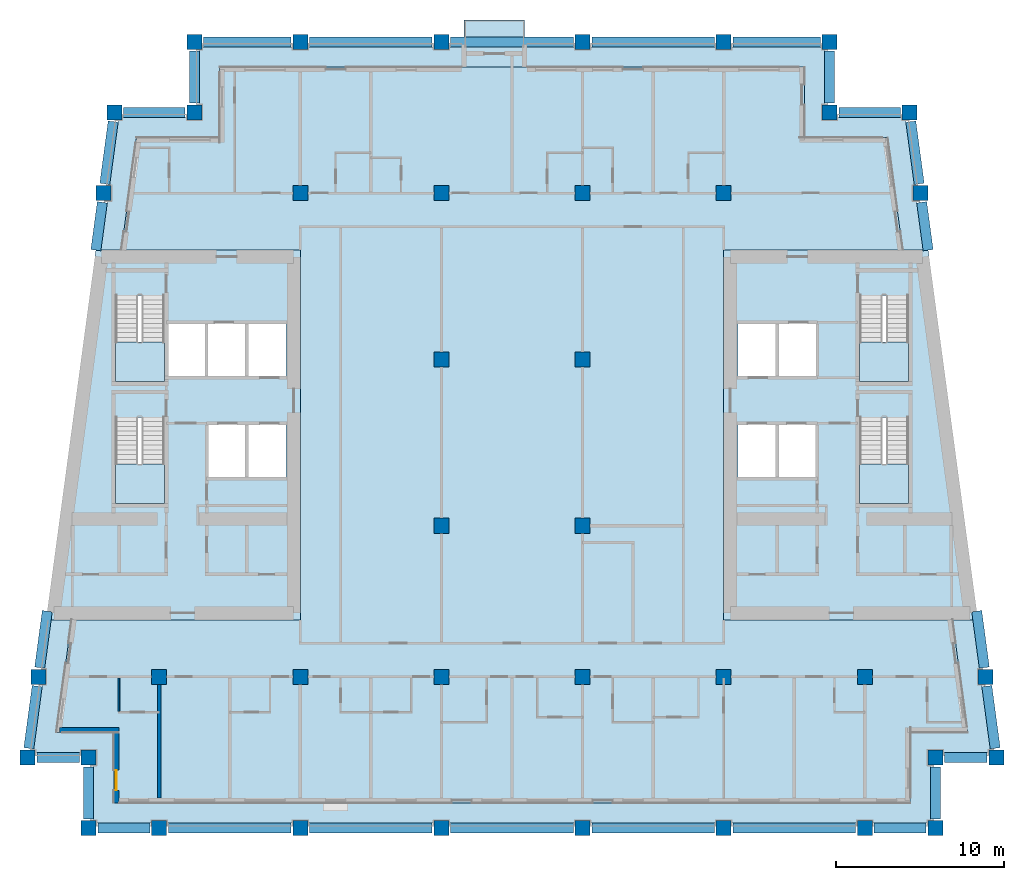
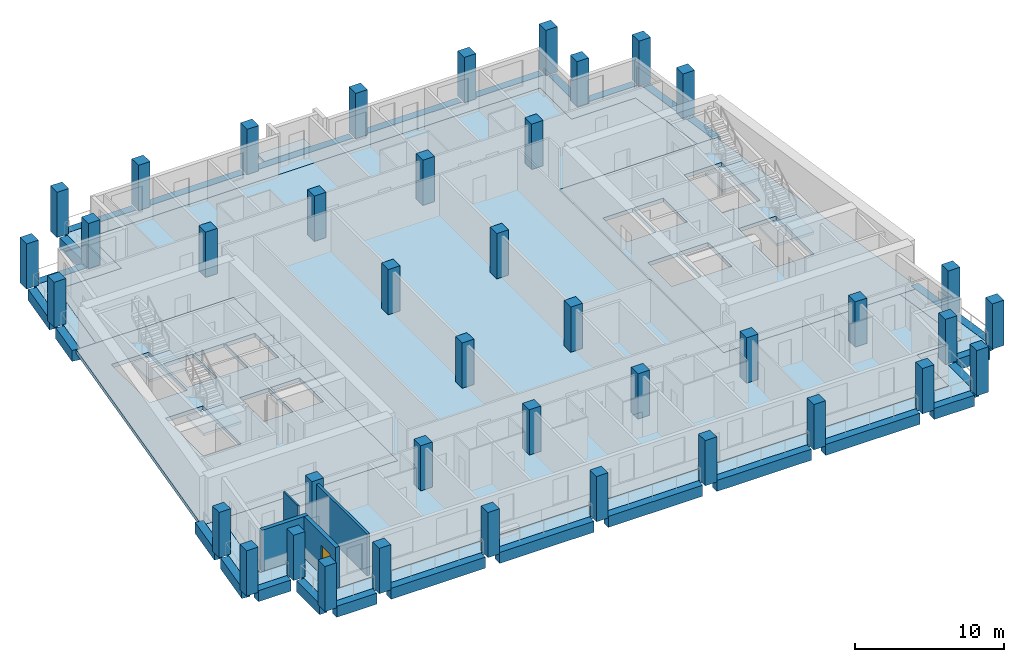
# One storey, part 1 of 13: 40 columns, 28 beams, 10 slabs, 4 walls, 1 door, 1 opening, 4 elements without a shape of their own.
"""IFC4 building model written with IfcOpenShell, lengths in metres."""

from ifc_helpers import new_model, si_unit, direction, frame, frame_2d, origin, origin_2d, place, context, subcontext, project, spatial, polyline, rectangle, outline, extrude, material, layer, layer_set, material_profile, profile_set, type_object, element, fill, aggregate, save


model = new_model("IFC4")

# Units and contexts
model_context = context("Model", 3, precision=1e-05, world=origin(), true_north=direction((0.0, 1.0)))
body_context = subcontext(model_context, "Body", "Model", "MODEL_VIEW")
ifc_project = project(units=[si_unit("LENGTHUNIT", "METRE"), si_unit("AREAUNIT", "SQUARE_METRE"), si_unit("VOLUMEUNIT", "CUBIC_METRE"), si_unit("PLANEANGLEUNIT", "RADIAN"), si_unit("MASSUNIT", "GRAM", prefix="KILO")], contexts=[model_context])

# Site, building, storey
site_placement = place(None, origin())
site = spatial("IfcSite", under=ifc_project, at=site_placement, CompositionType="ELEMENT")
building_placement = place(site_placement, origin())
building = spatial("IfcBuilding", under=site, at=building_placement, Name="Candeia Pilgrim Tower and Theatre", CompositionType="ELEMENT")
storey_placement = place(building_placement, frame((0.0, 0.0, 202.199951171875)))
storey = spatial("IfcBuildingStorey", under=building, at=storey_placement, Name="L48", CompositionType="ELEMENT", Elevation=202.199951171875)

# Columns
ifc_material_1 = material(Name="Concrete C50/60", Category="concrete")
ifc_material_profile_1 = material_profile(ifc_material_1, rectangle(XDim=0.89990234375, YDim=0.89990234375, at=origin_2d()))
ifc_profile_set_1 = profile_set([ifc_material_profile_1], Name="Concrete C50/60")
column_type = type_object("IfcColumnType", Name="RC 900x900 C50/60", PredefinedType="COLUMN", material=ifc_profile_set_1)
for number, where, z_axis, x_axis, name in (
    (1, (92.39990234375, 98.0, 0.0), (0.0, 0.0, 1.0), (1.0, 0.0, 0.0), "Column A1"),
    (2, (100.800048828125, 98.0, 0.0), (0.0, 0.0, 1.0), (1.0, 0.0, 0.0), "Column A2"),
    (3, (109.199951171875, 98.0, 0.0), (0.0, 0.0, 1.0), (1.0, 0.0, 0.0), "Column A3"),
    (4, (117.60009765625, 98.0, 0.0), (0.0, 0.0, 1.0), (1.0, 0.0, 0.0), "Column A4"),
    (5, (126.0, 98.0, 0.0), (0.0, 0.0, 1.0), (1.0, 0.0, 0.0), "Column A5"),
    (6, (134.39990234375, 98.0, 0.0), (0.0, 0.0, 1.0), (1.0, 0.0, 0.0), "Column A6"),
    (7, (88.199951171875, 98.0, 0.0), (0.0, 0.0, 1.0), (1.0, 0.0, 0.0), "Column AW"),
    (8, (138.60009765625, 98.0, 0.0), (0.0, 0.0, 1.0), (1.0, 0.0, 0.0), "Column AE"),
    (9, (88.199951171875, 102.199951171875, 0.0), (0.0, 0.0, 1.0), (1.0, 0.0, 0.0), "Column NSW"),
    (10, (138.60009765625, 102.199951171875, 0.0), (0.0, 0.0, 1.0), (1.0, 0.0, 0.0), "Column NSE"),
    (11, (94.5, 140.60009765625, 0.0), (0.0, 0.0, 1.0), (1.0, 0.0, 0.0), "Column NNW"),
    (12, (132.300048828125, 140.60009765625, 0.0), (0.0, 0.0, 1.0), (1.0, 0.0, 0.0), "Column NNE"),
    (13, (84.5654296875, 102.199951171875, 0.0), (0.0, 0.0, 1.0), (1.0, 0.0, 0.0), "Column LSW"),
    (14, (142.234619140625, 102.199951171875, 0.0), (0.0, 0.0, 1.0), (1.0, 0.0, 0.0), "Column LSE"),
    (15, (89.734619140625, 140.60009765625, 0.0), (0.0, 0.0, 1.0), (1.0, 0.0, 0.0), "Column LNW"),
    (16, (137.0654296875, 140.60009765625, 0.0), (0.0, 0.0, 1.0), (1.0, 0.0, 0.0), "Column LNE"),
    (17, (92.39990234375, 107.0, 0.0), (0.0, 0.0, 1.0), (1.0, 0.0, 0.0), "Column B1"),
    (18, (100.800048828125, 107.0, 0.0), (0.0, 0.0, 1.0), (1.0, 0.0, 0.0), "Column B2"),
    (19, (109.199951171875, 107.0, 0.0), (0.0, 0.0, 1.0), (1.0, 0.0, 0.0), "Column B3"),
    (20, (117.60009765625, 107.0, 0.0), (0.0, 0.0, 1.0), (1.0, 0.0, 0.0), "Column B4"),
    (21, (126.0, 107.0, 0.0), (0.0, 0.0, 1.0), (1.0, 0.0, 0.0), "Column B5"),
    (22, (134.39990234375, 107.0, 0.0), (0.0, 0.0, 1.0), (1.0, 0.0, 0.0), "Column B6"),
    (23, (85.21142578125, 107.0, 0.0), (0.0, 0.0, 1.0), (1.0, 0.0, 0.0), "Column BW"),
    (24, (141.58837890625, 107.0, 0.0), (0.0, 0.0, 1.0), (1.0, 0.0, 0.0), "Column BE"),
    (25, (109.199951171875, 116.0, 0.0), (0.0, 0.0, 1.0), (1.0, 0.0, 0.0), "Column C3"),
    (26, (117.60009765625, 116.0, 0.0), (0.0, 0.0, 1.0), (1.0, 0.0, 0.0), "Column C4"),
    (27, (109.199951171875, 125.89990234375, 0.0), (0.0, 0.0, 1.0), (1.0, 0.0, 0.0), "Column D3"),
    (28, (117.60009765625, 125.89990234375, 0.0), (0.0, 0.0, 1.0), (1.0, 0.0, 0.0), "Column D4"),
    (29, (100.800048828125, 135.800048828125, 0.0), (0.0, 0.0, 1.0), (1.0, 0.0, 0.0), "Column E2"),
    (30, (109.199951171875, 135.800048828125, 0.0), (0.0, 0.0, 1.0), (1.0, 0.0, 0.0), "Column E3"),
    (31, (117.60009765625, 135.800048828125, 0.0), (0.0, 0.0, 1.0), (1.0, 0.0, 0.0), "Column E4"),
    (32, (126.0, 135.800048828125, 0.0), (0.0, 0.0, 1.0), (1.0, 0.0, 0.0), "Column E5"),
    (33, (89.08837890625, 135.800048828125, 0.0), (0.0, 0.0, 1.0), (1.0, 0.0, 0.0), "Column EW"),
    (34, (137.71142578125, 135.800048828125, 0.0), (0.0, 0.0, 1.0), (1.0, 0.0, 0.0), "Column EE"),
    (35, (100.800048828125, 144.800048828125, 0.0), (0.0, 0.0, 1.0), (1.0, 0.0, 0.0), "Column F2"),
    (36, (109.199951171875, 144.800048828125, 0.0), (0.0, 0.0, 1.0), (1.0, 0.0, 0.0), "Column F3"),
    (37, (117.60009765625, 144.800048828125, 0.0), (0.0, 0.0, 1.0), (1.0, 0.0, 0.0), "Column F4"),
    (38, (126.0, 144.800048828125, 0.0), (0.0, 0.0, 1.0), (1.0, 0.0, 0.0), "Column F5"),
    (39, (94.5, 144.800048828125, 0.0), (0.0, 0.0, 1.0), (1.0, 0.0, 0.0), "Column FW"),
    (40, (132.300048828125, 144.800048828125, 0.0), (0.0, 0.0, 1.0), (1.0, 0.0, 0.0), "Column FE"),
):
    element("IfcColumn", number, at=place(storey_placement, frame(where, z_axis=z_axis, x_axis=x_axis)), inside=storey, type_object=column_type, Name=name, PredefinedType="COLUMN", context=body_context, shape_type="SweptSolid", body=[
        extrude(rectangle(XDim=0.89990234375, YDim=0.89990234375, at=origin_2d()), origin(), (0.0, 0.0, 1.0), 3.699951171875),
    ])

# Beams
ifc_material_profile_2 = material_profile(ifc_material_1, rectangle(XDim=0.60009765625, YDim=0.89990234375, at=origin_2d()))
ifc_profile_set_2 = profile_set([ifc_material_profile_2], Name="Concrete C50/60")
beam_type = type_object("IfcBeamType", Name="RC 600x900 C50/60", PredefinedType="BEAM", material=ifc_profile_set_2)
beam_1_placement = place(storey_placement, frame((88.75, 98.0, -0.449951171875), z_axis=(1.0, 0.0, 0.0), x_axis=(0.0, 1.0, 0.0)))
element("IfcBeam", 41, at=beam_1_placement, inside=storey, type_object=beam_type, Name="Spandrel beam L48-01", PredefinedType="BEAM", context=body_context, shape_type="SweptSolid", body=[
    extrude(rectangle(XDim=0.60009765625, YDim=0.89990234375, at=origin_2d()), origin(), (0.0, 0.0, 1.0), 3.10009765625),
])
beam_2_placement = place(storey_placement, frame((92.949951171875, 98.0, -0.449951171875), z_axis=(1.0, 0.0, 0.0), x_axis=(0.0, 1.0, 0.0)))
element("IfcBeam", 42, at=beam_2_placement, inside=storey, type_object=beam_type, Name="Spandrel beam L48-02", PredefinedType="BEAM", context=body_context, shape_type="SweptSolid", body=[
    extrude(rectangle(XDim=0.60009765625, YDim=0.89990234375, at=origin_2d()), origin(), (0.0, 0.0, 1.0), 7.300048828125),
])
beam_3_placement = place(storey_placement, frame((101.35009765625, 98.0, -0.449951171875), z_axis=(1.0, 0.0, 0.0), x_axis=(0.0, 1.0, 0.0)))
element("IfcBeam", 43, at=beam_3_placement, inside=storey, type_object=beam_type, Name="Spandrel beam L48-03", PredefinedType="BEAM", context=body_context, shape_type="SweptSolid", body=[
    extrude(rectangle(XDim=0.60009765625, YDim=0.89990234375, at=origin_2d()), origin(), (0.0, 0.0, 1.0), 7.2998046875),
])
for number, where, z_axis, x_axis, name in (
    (44, (109.75, 98.0, -0.449951171875), (1.0, 0.0, 0.0), (0.0, 1.0, 0.0), "Spandrel beam L48-04"),
    (45, (118.14990234375, 98.0, -0.449951171875), (1.0, 0.0, 0.0), (0.0, 1.0, 0.0), "Spandrel beam L48-05"),
    (46, (126.550048828125, 98.0, -0.449951171875), (1.0, 0.0, 0.0), (0.0, 1.0, 0.0), "Spandrel beam L48-06"),
):
    element("IfcBeam", number, at=place(storey_placement, frame(where, z_axis=z_axis, x_axis=x_axis)), inside=storey, type_object=beam_type, Name=name, PredefinedType="BEAM", context=body_context, shape_type="SweptSolid", body=[
        extrude(rectangle(XDim=0.60009765625, YDim=0.89990234375, at=origin_2d()), origin(), (0.0, 0.0, 1.0), 7.300048828125),
    ])
beam_4_placement = place(storey_placement, frame((134.949951171875, 98.0, -0.449951171875), z_axis=(1.0, 0.0, 0.0), x_axis=(0.0, 1.0, 0.0)))
element("IfcBeam", 47, at=beam_4_placement, inside=storey, type_object=beam_type, Name="Spandrel beam L48-07", PredefinedType="BEAM", context=body_context, shape_type="SweptSolid", body=[
    extrude(rectangle(XDim=0.60009765625, YDim=0.89990234375, at=origin_2d()), origin(), (0.0, 0.0, 1.0), 3.10009765625),
])
beam_5_placement = place(storey_placement, frame((138.60009765625, 98.550048828125, -0.449951171875), z_axis=(0.0, 1.0, 0.0), x_axis=(-1.0, 0.0, 0.0)))
element("IfcBeam", 48, at=beam_5_placement, inside=storey, type_object=beam_type, Name="Spandrel beam L48-08", PredefinedType="BEAM", context=body_context, shape_type="SweptSolid", body=[
    extrude(rectangle(XDim=0.60009765625, YDim=0.89990234375, at=origin_2d()), origin(), (0.0, 0.0, 1.0), 3.099853515625),
])
beam_6_placement = place(storey_placement, frame((139.14990234375, 102.199951171875, -0.449951171875), z_axis=(1.0, 0.0, 0.0), x_axis=(0.0, 1.0, 0.0)))
element("IfcBeam", 49, at=beam_6_placement, inside=storey, type_object=beam_type, Name="Spandrel beam L48-09", PredefinedType="BEAM", context=body_context, shape_type="SweptSolid", body=[
    extrude(rectangle(XDim=0.60009765625, YDim=0.89990234375, at=origin_2d()), origin(), (0.0, 0.0, 1.0), 2.53466796875),
])
beam_7_placement = place(storey_placement, frame((142.16064453125, 102.75, -0.449951171875), z_axis=(-0.133405836075, 0.991061492997, 0.0), x_axis=(-0.991061492997, -0.133405836075, 0.0)))
element("IfcBeam", 50, at=beam_7_placement, inside=storey, type_object=beam_type, Name="Spandrel beam L48-10", PredefinedType="BEAM", context=body_context, shape_type="SweptSolid", body=[
    extrude(rectangle(XDim=0.60009765625, YDim=0.89990234375, at=origin_2d()), origin(), (0.0, 0.0, 1.0), 3.7333984375),
])
beam_8_placement = place(storey_placement, frame((141.514404296875, 107.550048828125, -0.449951171875), z_axis=(-0.133432414187, 0.99105791498, 0.0), x_axis=(-0.99105791498, -0.133432414187, 0.0)))
element("IfcBeam", 51, at=beam_8_placement, inside=storey, type_object=beam_type, Name="Spandrel beam L48-11", PredefinedType="BEAM", context=body_context, shape_type="SweptSolid", body=[
    extrude(rectangle(XDim=0.60009765625, YDim=0.89990234375, at=origin_2d()), origin(), (0.0, 0.0, 1.0), 3.390380859375),
])
beam_9_placement = place(storey_placement, frame((138.169189453125, 132.39990234375, -0.449951171875), z_axis=(-0.133370319951, 0.99106627314, 0.0), x_axis=(-0.99106627314, -0.133370319951, 0.0)))
element("IfcBeam", 52, at=beam_9_placement, inside=storey, type_object=beam_type, Name="Spandrel beam L48-12", PredefinedType="BEAM", context=body_context, shape_type="SweptSolid", body=[
    extrude(rectangle(XDim=0.60009765625, YDim=0.89990234375, at=origin_2d()), origin(), (0.0, 0.0, 1.0), 2.875732421875),
])
beam_10_placement = place(storey_placement, frame((137.637451171875, 136.35009765625, -0.449951171875), z_axis=(-0.133405836075, 0.991061492997, 0.0), x_axis=(-0.991061492997, -0.133405836075, 0.0)))
element("IfcBeam", 53, at=beam_10_placement, inside=storey, type_object=beam_type, Name="Spandrel beam L48-13", PredefinedType="BEAM", context=body_context, shape_type="SweptSolid", body=[
    extrude(rectangle(XDim=0.60009765625, YDim=0.89990234375, at=origin_2d()), origin(), (0.0, 0.0, 1.0), 3.7333984375),
])
beam_11_placement = place(storey_placement, frame((136.515380859375, 140.60009765625, -0.449951171875), z_axis=(-1.0, 0.0, 0.0), x_axis=(0.0, -1.0, 0.0)))
element("IfcBeam", 54, at=beam_11_placement, inside=storey, type_object=beam_type, Name="Spandrel beam L48-14", PredefinedType="BEAM", context=body_context, shape_type="SweptSolid", body=[
    extrude(rectangle(XDim=0.60009765625, YDim=0.89990234375, at=origin_2d()), origin(), (0.0, 0.0, 1.0), 3.665283203125),
])
beam_12_placement = place(storey_placement, frame((132.300048828125, 141.14990234375, -0.449951171875), z_axis=(0.0, 1.0, 0.0), x_axis=(-1.0, 0.0, 0.0)))
element("IfcBeam", 55, at=beam_12_placement, inside=storey, type_object=beam_type, Name="Spandrel beam L48-15", PredefinedType="BEAM", context=body_context, shape_type="SweptSolid", body=[
    extrude(rectangle(XDim=0.60009765625, YDim=0.89990234375, at=origin_2d()), origin(), (0.0, 0.0, 1.0), 3.10009765625),
])
beam_13_placement = place(storey_placement, frame((131.75, 144.800048828125, -0.449951171875), z_axis=(-1.0, 0.0, 0.0), x_axis=(0.0, -1.0, 0.0)))
element("IfcBeam", 56, at=beam_13_placement, inside=storey, type_object=beam_type, Name="Spandrel beam L48-16", PredefinedType="BEAM", context=body_context, shape_type="SweptSolid", body=[
    extrude(rectangle(XDim=0.60009765625, YDim=0.89990234375, at=origin_2d()), origin(), (0.0, 0.0, 1.0), 5.199951171875),
])
for number, where, z_axis, x_axis, name in (
    (57, (125.449951171875, 144.800048828125, -0.449951171875), (-1.0, 0.0, 0.0), (0.0, -1.0, 0.0), "Spandrel beam L48-17"),
    (58, (117.050048828125, 144.800048828125, -0.449951171875), (-1.0, 0.0, 0.0), (0.0, -1.0, 0.0), "Spandrel beam L48-18"),
):
    element("IfcBeam", number, at=place(storey_placement, frame(where, z_axis=z_axis, x_axis=x_axis)), inside=storey, type_object=beam_type, Name=name, PredefinedType="BEAM", context=body_context, shape_type="SweptSolid", body=[
        extrude(rectangle(XDim=0.60009765625, YDim=0.89990234375, at=origin_2d()), origin(), (0.0, 0.0, 1.0), 7.300048828125),
    ])
beam_14_placement = place(storey_placement, frame((108.64990234375, 144.800048828125, -0.449951171875), z_axis=(-1.0, 0.0, 0.0), x_axis=(0.0, -1.0, 0.0)))
element("IfcBeam", 59, at=beam_14_placement, inside=storey, type_object=beam_type, Name="Spandrel beam L48-19", PredefinedType="BEAM", context=body_context, shape_type="SweptSolid", body=[
    extrude(rectangle(XDim=0.60009765625, YDim=0.89990234375, at=origin_2d()), origin(), (0.0, 0.0, 1.0), 7.2998046875),
])
beam_15_placement = place(storey_placement, frame((100.25, 144.800048828125, -0.449951171875), z_axis=(-1.0, 0.0, 0.0), x_axis=(0.0, -1.0, 0.0)))
element("IfcBeam", 60, at=beam_15_placement, inside=storey, type_object=beam_type, Name="Spandrel beam L48-20", PredefinedType="BEAM", context=body_context, shape_type="SweptSolid", body=[
    extrude(rectangle(XDim=0.60009765625, YDim=0.89990234375, at=origin_2d()), origin(), (0.0, 0.0, 1.0), 5.199951171875),
])
beam_16_placement = place(storey_placement, frame((94.5, 144.25, -0.449951171875), z_axis=(0.0, -1.0, 0.0), x_axis=(1.0, 0.0, 0.0)))
element("IfcBeam", 61, at=beam_16_placement, inside=storey, type_object=beam_type, Name="Spandrel beam L48-21", PredefinedType="BEAM", context=body_context, shape_type="SweptSolid", body=[
    extrude(rectangle(XDim=0.60009765625, YDim=0.89990234375, at=origin_2d()), origin(), (0.0, 0.0, 1.0), 3.10009765625),
])
beam_17_placement = place(storey_placement, frame((93.949951171875, 140.60009765625, -0.449951171875), z_axis=(-1.0, 0.0, 0.0), x_axis=(0.0, -1.0, 0.0)))
element("IfcBeam", 62, at=beam_17_placement, inside=storey, type_object=beam_type, Name="Spandrel beam L48-22", PredefinedType="BEAM", context=body_context, shape_type="SweptSolid", body=[
    extrude(rectangle(XDim=0.60009765625, YDim=0.89990234375, at=origin_2d()), origin(), (0.0, 0.0, 1.0), 3.665283203125),
])
beam_18_placement = place(storey_placement, frame((89.66064453125, 140.050048828125, -0.449951171875), z_axis=(-0.133405836075, -0.991061492997, 0.0), x_axis=(0.991061492997, -0.133405836075, 0.0)))
element("IfcBeam", 63, at=beam_18_placement, inside=storey, type_object=beam_type, Name="Spandrel beam L48-23", PredefinedType="BEAM", context=body_context, shape_type="SweptSolid", body=[
    extrude(rectangle(XDim=0.60009765625, YDim=0.89990234375, at=origin_2d()), origin(), (0.0, 0.0, 1.0), 3.7333984375),
])
beam_19_placement = place(storey_placement, frame((89.014404296875, 135.25, -0.449951171875), z_axis=(-0.133370319951, -0.99106627314, 0.0), x_axis=(0.99106627314, -0.133370319951, 0.0)))
element("IfcBeam", 64, at=beam_19_placement, inside=storey, type_object=beam_type, Name="Spandrel beam L48-24", PredefinedType="BEAM", context=body_context, shape_type="SweptSolid", body=[
    extrude(rectangle(XDim=0.60009765625, YDim=0.89990234375, at=origin_2d()), origin(), (0.0, 0.0, 1.0), 2.875732421875),
])
beam_20_placement = place(storey_placement, frame((85.73779296875, 110.91015625, -0.449951171875), z_axis=(-0.133361686371, -0.991067434945, 0.0), x_axis=(0.991067434945, -0.133361686371, 0.0)))
element("IfcBeam", 65, at=beam_20_placement, inside=storey, type_object=beam_type, Name="Spandrel beam L48-25", PredefinedType="BEAM", context=body_context, shape_type="SweptSolid", body=[
    extrude(rectangle(XDim=0.60009765625, YDim=0.89990234375, at=origin_2d()), origin(), (0.0, 0.0, 1.0), 3.390380859375),
])
beam_21_placement = place(storey_placement, frame((85.137451171875, 106.449951171875, -0.449951171875), z_axis=(-0.133405836075, -0.991061492997, 0.0), x_axis=(0.991061492997, -0.133405836075, 0.0)))
element("IfcBeam", 66, at=beam_21_placement, inside=storey, type_object=beam_type, Name="Spandrel beam L48-26", PredefinedType="BEAM", context=body_context, shape_type="SweptSolid", body=[
    extrude(rectangle(XDim=0.60009765625, YDim=0.89990234375, at=origin_2d()), origin(), (0.0, 0.0, 1.0), 3.7333984375),
])
beam_22_placement = place(storey_placement, frame((85.115478515625, 102.199951171875, -0.449951171875), z_axis=(1.0, 0.0, 0.0), x_axis=(0.0, 1.0, 0.0)))
element("IfcBeam", 67, at=beam_22_placement, inside=storey, type_object=beam_type, Name="Spandrel beam L48-27", PredefinedType="BEAM", context=body_context, shape_type="SweptSolid", body=[
    extrude(rectangle(XDim=0.60009765625, YDim=0.89990234375, at=origin_2d()), origin(), (0.0, 0.0, 1.0), 2.534423828125),
])
beam_23_placement = place(storey_placement, frame((88.199951171875, 101.64990234375, -0.449951171875), z_axis=(0.0, -1.0, 0.0), x_axis=(1.0, 0.0, 0.0)))
element("IfcBeam", 68, at=beam_23_placement, inside=storey, type_object=beam_type, Name="Spandrel beam L48-28", PredefinedType="BEAM", context=body_context, shape_type="SweptSolid", body=[
    extrude(rectangle(XDim=0.60009765625, YDim=0.89990234375, at=origin_2d()), origin(), (0.0, 0.0, 1.0), 3.099853515625),
])

# Slabs
ifc_material_2 = material(Name="Concrete C40/50", Category="concrete")
ifc_layer_1 = layer(ifc_material_2, 0.25)
ifc_layer_set_1 = layer_set([ifc_layer_1], Name="BK1 balcony slab 250")
slab_type_1 = type_object("IfcSlabType", Name="BK1 balcony slab 250", PredefinedType="USERDEFINED", material=ifc_layer_set_1)
slab_1_placement = place(storey_placement, frame((0.0, 0.0, -0.25)))
element("IfcSlab", 69, at=slab_1_placement, inside=storey, type_object=slab_type_1, Name="Balcony L48", ObjectType="BALCONY", PredefinedType="USERDEFINED", context=body_context, shape_type="SweptSolid", body=[
    extrude(outline(polyline([(110.550048828125, 144.5), (114.14990234375, 144.5), (114.14990234375, 146.10009765625), (110.550048828125, 146.10009765625), (110.550048828125, 144.5)])), origin(), (0.0, 0.0, 1.0), 0.25),
])
ifc_material_3 = material(Name="Concrete C60/75", Category="concrete")
ifc_layer_2 = layer(ifc_material_3, 0.320068359375)
ifc_layer_set_2 = layer_set([ifc_layer_2], Name="FS-CORE 320 core floor")
slab_type_2 = type_object("IfcSlabType", Name="FS-CORE 320 core floor", PredefinedType="FLOOR", material=ifc_layer_set_2)
slab_2_placement = place(storey_placement, frame((0.0, 0.0, -0.320068359375)))
element("IfcSlab", 70, at=slab_2_placement, inside=storey, type_object=slab_type_2, Name="Core floor W L48", PredefinedType="FLOOR", context=body_context, shape_type="SweptSolid", body=[
    extrude(outline(polyline([(100.800048828125, 132.39990234375), (100.800048828125, 110.39990234375), (85.669189453125, 110.39990234375), (88.630859375, 132.39990234375), (100.800048828125, 132.39990234375)]), holes=[polyline([(97.658935546875, 128.050048828125), (97.658935546875, 124.85009765625), (99.949951171875, 124.85009765625), (99.949951171875, 128.050048828125), (97.658935546875, 128.050048828125)]), polyline([(97.66357421875, 122.050048828125), (97.66357421875, 118.85009765625), (99.949951171875, 118.85009765625), (99.949951171875, 122.050048828125), (97.66357421875, 122.050048828125)]), polyline([(95.277099609375, 122.050048828125), (95.277099609375, 118.85009765625), (97.5634765625, 118.85009765625), (97.5634765625, 122.050048828125), (95.277099609375, 122.050048828125)]), polyline([(95.26806640625, 128.050048828125), (95.26806640625, 124.85009765625), (97.55908203125, 124.85009765625), (97.55908203125, 128.050048828125), (95.26806640625, 128.050048828125)]), polyline([(92.876953125, 128.050048828125), (92.876953125, 124.85009765625), (95.16796875, 124.85009765625), (95.16796875, 128.050048828125), (92.876953125, 128.050048828125)]), polyline([(89.802001953125, 117.324951171875), (92.701904296875, 117.324951171875), (92.701904296875, 122.455078125), (89.802001953125, 122.455078125), (89.802001953125, 117.324951171875)]), polyline([(89.802001953125, 129.705078125), (89.802001953125, 124.574951171875), (92.701904296875, 124.574951171875), (92.701904296875, 129.705078125), (89.802001953125, 129.705078125)])]), origin(), (0.0, 0.0, 1.0), 0.320068359375),
])
slab_3_placement = place(storey_placement, frame((0.0, 0.0, -0.320068359375)))
element("IfcSlab", 71, at=slab_3_placement, inside=storey, type_object=slab_type_2, Name="Core floor E L48", PredefinedType="FLOOR", context=body_context, shape_type="SweptSolid", body=[
    extrude(outline(polyline([(138.169189453125, 132.39990234375), (141.130859375, 110.39990234375), (126.0, 110.39990234375), (126.0, 132.39990234375), (138.169189453125, 132.39990234375)]), holes=[polyline([(134.097900390625, 117.324951171875), (136.998046875, 117.324951171875), (136.998046875, 122.455078125), (134.097900390625, 122.455078125), (134.097900390625, 117.324951171875)]), polyline([(134.097900390625, 129.705078125), (134.097900390625, 124.574951171875), (136.998046875, 124.574951171875), (136.998046875, 129.705078125), (134.097900390625, 129.705078125)]), polyline([(131.531982421875, 128.050048828125), (129.240966796875, 128.050048828125), (129.240966796875, 124.85009765625), (131.531982421875, 124.85009765625), (131.531982421875, 128.050048828125)]), polyline([(131.52294921875, 122.050048828125), (129.236572265625, 122.050048828125), (129.236572265625, 118.85009765625), (131.52294921875, 118.85009765625), (131.52294921875, 122.050048828125)]), polyline([(126.85009765625, 128.050048828125), (126.85009765625, 124.85009765625), (129.14111328125, 124.85009765625), (129.14111328125, 128.050048828125), (126.85009765625, 128.050048828125)]), polyline([(129.136474609375, 122.050048828125), (126.85009765625, 122.050048828125), (126.85009765625, 118.85009765625), (129.136474609375, 118.85009765625), (129.136474609375, 122.050048828125)])]), origin(), (0.0, 0.0, 1.0), 0.320068359375),
])
ifc_layer_3 = layer(ifc_material_1, 0.320068359375)
ifc_layer_set_3 = layer_set([ifc_layer_3], Name="Floor slab 320 C50/60")
slab_type_3 = type_object("IfcSlabType", Name="Floor slab 320 C50/60", PredefinedType="FLOOR", material=ifc_layer_set_3)
slab_4_placement = place(storey_placement, frame((0.0, 0.0, -0.320068359375)))
element("IfcSlab", 72, at=slab_4_placement, inside=storey, type_object=slab_type_3, Name="Floor slab L48", PredefinedType="FLOOR", context=body_context, shape_type="SweptSolid", body=[
    extrude(outline(polyline([(96.0, 139.10009765625), (96.0, 143.300048828125), (130.800048828125, 143.300048828125), (130.800048828125, 139.10009765625), (135.753662109375, 139.10009765625), (136.65576171875, 132.39990234375), (126.0, 132.39990234375), (126.0, 110.39990234375), (139.6171875, 110.39990234375), (140.51904296875, 103.699951171875), (137.10009765625, 103.699951171875), (137.10009765625, 99.5), (89.699951171875, 99.5), (89.699951171875, 103.699951171875), (86.28076171875, 103.699951171875), (87.182861328125, 110.39990234375), (100.800048828125, 110.39990234375), (100.800048828125, 132.39990234375), (90.144287109375, 132.39990234375), (91.046142578125, 139.10009765625), (96.0, 139.10009765625)])), origin(), (0.0, 0.0, 1.0), 0.320068359375),
])
ifc_layer_4 = layer(ifc_material_2, 0.25)
ifc_layer_set_4 = layer_set([ifc_layer_4], Name="Loggia slab 250 C40/50")
slab_type_4 = type_object("IfcSlabType", Name="Loggia slab 250 C40/50", PredefinedType="FLOOR", material=ifc_layer_set_4)
slab_5_placement = place(storey_placement, frame((0.0, 0.0, -0.25)))
element("IfcSlab", 73, at=slab_5_placement, inside=storey, type_object=slab_type_4, Name="Loggia slab L48 1", PredefinedType="FLOOR", context=body_context, shape_type="SweptSolid", body=[
    extrude(outline(polyline([(87.182861328125, 110.39990234375), (86.28076171875, 103.699951171875), (89.699951171875, 103.699951171875), (89.699951171875, 99.5), (137.10009765625, 99.5), (137.10009765625, 103.699951171875), (140.51904296875, 103.699951171875), (139.6171875, 110.39990234375), (140.828125, 110.39990234375), (141.8916015625, 102.5), (138.300048828125, 102.5), (138.300048828125, 98.300048828125), (88.5, 98.300048828125), (88.5, 102.5), (84.908447265625, 102.5), (85.971923828125, 110.39990234375), (87.182861328125, 110.39990234375)])), origin(), (0.0, 0.0, 1.0), 0.25),
])
slab_6_placement = place(storey_placement, frame((0.0, 0.0, -0.25)))
element("IfcSlab", 74, at=slab_6_placement, inside=storey, type_object=slab_type_4, Name="Loggia slab L48 2", PredefinedType="FLOOR", context=body_context, shape_type="SweptSolid", body=[
    extrude(outline(polyline([(136.65576171875, 132.39990234375), (135.753662109375, 139.10009765625), (130.800048828125, 139.10009765625), (130.800048828125, 143.300048828125), (96.0, 143.300048828125), (96.0, 139.10009765625), (91.046142578125, 139.10009765625), (90.144287109375, 132.39990234375), (88.93359375, 132.39990234375), (89.996826171875, 140.300048828125), (94.800048828125, 140.300048828125), (94.800048828125, 144.5), (132.0, 144.5), (132.0, 140.300048828125), (136.802978515625, 140.300048828125), (137.866455078125, 132.39990234375), (136.65576171875, 132.39990234375)])), origin(), (0.0, 0.0, 1.0), 0.25),
])

# Stair, slab
stair_type = type_object("IfcStairType", Name="ST-TWR dog-leg escape stair", PredefinedType="HALF_TURN_STAIR", material=ifc_material_2)
stair_1_placement = place(storey_placement, origin())
stair_1 = element("IfcStair", 75, at=stair_1_placement, inside=storey, type_object=stair_type, Name="L48 Escape stair ST1", PredefinedType="HALF_TURN_STAIR")
ifc_layer_5 = layer(ifc_material_2, 0.199951171875)
ifc_layer_set_5 = layer_set([ifc_layer_5], Name="SL-LANDING stair landing")
slab_type_5 = type_object("IfcSlabType", Name="SL-LANDING stair landing", PredefinedType="LANDING", material=ifc_layer_set_5)
slab_7_placement = place(storey_placement, frame((0.0, 0.0, 1.650146484375)))
slab_7 = element("IfcSlab", 76, at=slab_7_placement, type_object=slab_type_5, Name="ST1 landing 1", PredefinedType="LANDING", context=body_context, shape_type="SweptSolid", body=[
    extrude(outline(polyline([(89.802001953125, 119.675048828125), (89.802001953125, 117.324951171875), (92.701904296875, 117.324951171875), (92.701904296875, 119.675048828125), (89.802001953125, 119.675048828125)])), origin(), (0.0, 0.0, 1.0), 0.199951171875),
])
aggregate(stair_1, [slab_7])

stair_2_placement = place(storey_placement, origin())
stair_2 = element("IfcStair", 77, at=stair_2_placement, inside=storey, type_object=stair_type, Name="L48 Escape stair ST2", PredefinedType="HALF_TURN_STAIR")
slab_8_placement = place(storey_placement, frame((0.0, 0.0, 1.650146484375)))
slab_8 = element("IfcSlab", 78, at=slab_8_placement, type_object=slab_type_5, Name="ST2 landing 1", PredefinedType="LANDING", context=body_context, shape_type="SweptSolid", body=[
    extrude(outline(polyline([(89.802001953125, 126.925048828125), (89.802001953125, 124.574951171875), (92.701904296875, 124.574951171875), (92.701904296875, 126.925048828125), (89.802001953125, 126.925048828125)])), origin(), (0.0, 0.0, 1.0), 0.199951171875),
])
aggregate(stair_2, [slab_8])

stair_3_placement = place(storey_placement, origin())
stair_3 = element("IfcStair", 79, at=stair_3_placement, inside=storey, type_object=stair_type, Name="L48 Escape stair ST3", PredefinedType="HALF_TURN_STAIR")
slab_9_placement = place(storey_placement, frame((0.0, 0.0, 1.650146484375)))
slab_9 = element("IfcSlab", 80, at=slab_9_placement, type_object=slab_type_5, Name="ST3 landing 1", PredefinedType="LANDING", context=body_context, shape_type="SweptSolid", body=[
    extrude(outline(polyline([(134.097900390625, 119.675048828125), (134.097900390625, 117.324951171875), (136.998046875, 117.324951171875), (136.998046875, 119.675048828125), (134.097900390625, 119.675048828125)])), origin(), (0.0, 0.0, 1.0), 0.199951171875),
])
aggregate(stair_3, [slab_9])

stair_4_placement = place(storey_placement, origin())
stair_4 = element("IfcStair", 81, at=stair_4_placement, inside=storey, type_object=stair_type, Name="L48 Escape stair ST4", PredefinedType="HALF_TURN_STAIR")
slab_10_placement = place(storey_placement, frame((0.0, 0.0, 1.650146484375)))
slab_10 = element("IfcSlab", 82, at=slab_10_placement, type_object=slab_type_5, Name="ST4 landing 1", PredefinedType="LANDING", context=body_context, shape_type="SweptSolid", body=[
    extrude(outline(polyline([(134.097900390625, 126.925048828125), (134.097900390625, 124.574951171875), (136.998046875, 124.574951171875), (136.998046875, 126.925048828125), (134.097900390625, 126.925048828125)])), origin(), (0.0, 0.0, 1.0), 0.199951171875),
])
aggregate(stair_4, [slab_10])

# Wall
ifc_material_4 = material(Name="Ceramic block masonry", Category="masonry")
ifc_layer_6 = layer(ifc_material_4, 0.300048828125)
ifc_layer_set_6 = layer_set([ifc_layer_6], Name="EW1 glazing-line wall 300")
wall_type_1 = type_object("IfcWallType", Name="EW1 glazing-line wall 300", PredefinedType="SOLIDWALL", material=ifc_layer_set_6)
wall_1_placement = place(storey_placement, frame((86.452392578125, 103.85009765625, 0.0), z_axis=(0.0, 0.0, 1.0), x_axis=(1.0, 0.0, 0.0)))
element("IfcWall", 83, at=wall_1_placement, inside=storey, type_object=wall_type_1, Name="External wall L48-10.0", PredefinedType="SOLIDWALL", context=body_context, shape_type="SweptSolid", body=[
    extrude(rectangle(XDim=3.547607421875, YDim=0.300048828125, at=frame_2d((1.77392578125, 0.0))), origin(), (0.0, 0.0, 1.0), 3.380126953125),
])

# Wall, opening, door
wall_2_placement = place(storey_placement, frame((89.85009765625, 103.85009765625, 0.0), z_axis=(0.0, 0.0, 1.0), x_axis=(0.0, -1.0, 0.0)))
wall_2 = element("IfcWall", 84, at=wall_2_placement, inside=storey, type_object=wall_type_1, Name="External wall L48-11.0", PredefinedType="SOLIDWALL", context=body_context, shape_type="SweptSolid", body=[
    extrude(rectangle(XDim=4.35009765625, YDim=0.300048828125, at=frame_2d((2.175048828125, 0.0))), origin(), (0.0, 0.0, 1.0), 3.380126953125),
])
opening_placement = place(wall_2_placement, frame((2.39990234375, 0.0, 0.0)))
opening = element("IfcOpeningElement", 85, at=opening_placement, cuts=wall_2, Name="Opening L48-ED461", PredefinedType="OPENING", context=body_context, shape_type="SweptSolid", body=[
    extrude(rectangle(XDim=1.199951171875, YDim=2.39990234375, at=frame_2d((0.60009765625, 1.199951171875))), frame((0.0, 0.16015625, 0.0), z_axis=(0.0, -1.0, 0.0), x_axis=(1.0, 0.0, 0.0)), (0.0, 0.0, 1.0), 0.320068359375),
])
ifc_material_5 = material(Name="Aluminium framed glazed door", Category="aluminium")
door_type = type_object("IfcDoorType", Name="Loggia door 1200x2400", OperationType="DOUBLE_DOOR_SINGLE_SWING", PredefinedType="DOOR", material=ifc_material_5)
door_placement = place(opening_placement, origin())
door = element("IfcDoor", 86, at=door_placement, inside=storey, type_object=door_type, Name="Loggia door L48-ED461", OperationType="DOUBLE_DOOR_SINGLE_SWING", OverallHeight=2.39990234375, OverallWidth=1.199951171875, PredefinedType="DOOR", context=body_context, shape_type="SweptSolid", body=[
    extrude(rectangle(XDim=1.199951171875, YDim=2.39990234375, at=frame_2d((0.60009765625, 1.199951171875))), frame((0.0, 0.02490234375, 0.0), z_axis=(0.0, -1.0, 0.0), x_axis=(1.0, 0.0, 0.0)), (0.0, 0.0, 1.0), 0.050048828125),
])
fill(opening, door)

# Walls
ifc_material_6 = material(Name="Gypsum board partition on steel studs", Category="steel")
ifc_layer_7 = layer(ifc_material_6, 0.10009765625)
ifc_layer_set_7 = layer_set([ifc_layer_7], Name="PW-100 room partition")
wall_type_2 = type_object("IfcWallType", Name="PW-100 room partition", PredefinedType="PARTITIONING", material=ifc_layer_set_7)
wall_3_placement = place(storey_placement, frame((90.0, 104.949951171875, 0.0), z_axis=(0.0, 0.0, 1.0), x_axis=(0.0, 1.0, 0.0)))
element("IfcWall", 87, at=wall_3_placement, inside=storey, type_object=wall_type_2, Name="Room partition L48-054", PredefinedType="PARTITIONING", context=body_context, shape_type="SweptSolid", body=[
    extrude(rectangle(XDim=1.97509765625, YDim=0.10009765625, at=frame_2d((0.987548828125, 0.0))), origin(), (0.0, 0.0, 1.0), 3.380126953125),
])
ifc_layer_8 = layer(ifc_material_6, 0.199951171875)
ifc_layer_set_8 = layer_set([ifc_layer_8], Name="PW-200 party wall")
wall_type_3 = type_object("IfcWallType", Name="PW-200 party wall", PredefinedType="PARTITIONING", material=ifc_layer_set_8)
wall_4_placement = place(storey_placement, frame((92.39990234375, 99.7900390625, 0.0), z_axis=(0.0, 0.0, 1.0), x_axis=(0.0, 1.0, 0.0)))
element("IfcWall", 88, at=wall_4_placement, inside=storey, type_object=wall_type_3, Name="Party wall L48-056", PredefinedType="PARTITIONING", context=body_context, shape_type="SweptSolid", body=[
    extrude(rectangle(XDim=7.135009765625, YDim=0.199951171875, at=frame_2d((3.5673828125, 0.0))), origin(), (0.0, 0.0, 1.0), 3.380126953125),
])

save(model, "model.ifc")
